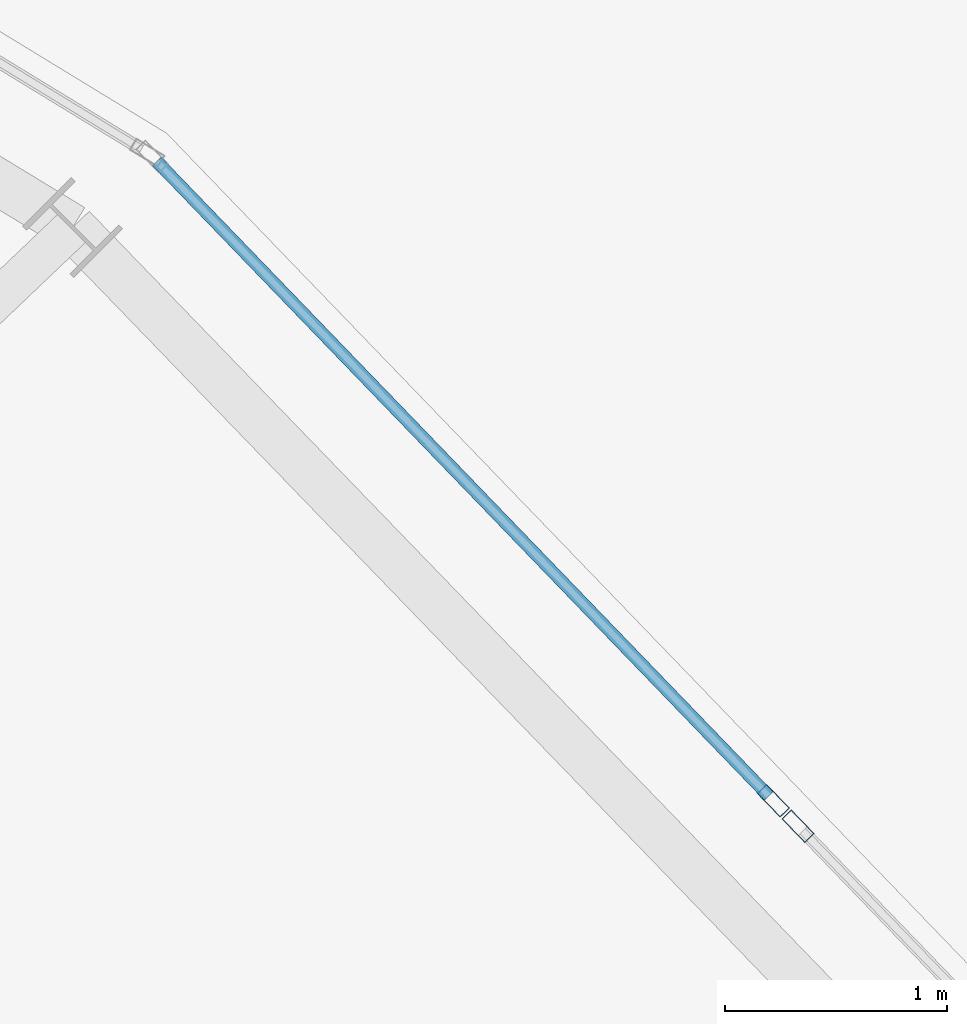
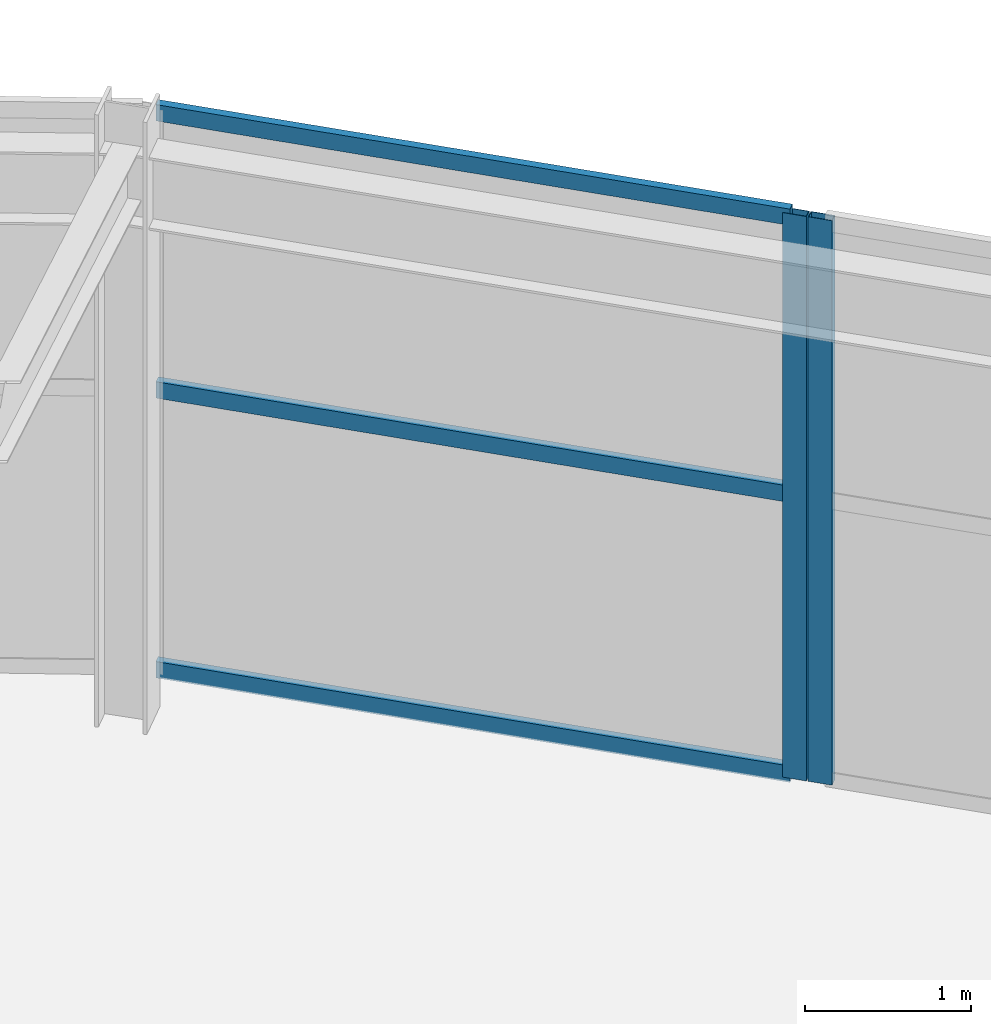
# One storey, part 92 of 126: 5 members, 2 elements without a shape of their own.
"""IFC4 building model written with IfcOpenShell, lengths in metres."""

from ifc_helpers import new_model, si_unit, direction, frame, origin, origin_2d, place, context, subcontext, project, spatial, hollow_rectangle, extrude, material, layer, layer_set, material_profile, profile_set, type_object, element, aggregate, save


model = new_model("IFC4")

# Units and contexts
model_context = context("Model", 3, precision=1e-05, world=origin(), true_north=direction((0.0, 1.0)))
body_context = subcontext(model_context, "Body", "Model", "MODEL_VIEW")
ifc_project = project(units=[si_unit("LENGTHUNIT", "METRE"), si_unit("AREAUNIT", "SQUARE_METRE"), si_unit("VOLUMEUNIT", "CUBIC_METRE"), si_unit("PLANEANGLEUNIT", "RADIAN"), si_unit("MASSUNIT", "GRAM", prefix="KILO")], contexts=[model_context])

# Site, building, storey
site_placement = place(None, origin())
site = spatial("IfcSite", under=ifc_project, at=site_placement, CompositionType="ELEMENT")
building_placement = place(site_placement, origin())
building = spatial("IfcBuilding", under=site, at=building_placement, Name="Kalgoora Escarpment Arena", CompositionType="ELEMENT")
storey_placement = place(building_placement, frame((0.0, 0.0, 18.89990234375)))
storey = spatial("IfcBuildingStorey", under=building, at=storey_placement, Name="L04", CompositionType="ELEMENT", Elevation=18.89990234375)

# Curtain wall, member
ifc_material_1 = material(Name=" Champagne anodised aluminium & double-glazed low-E", Category="aluminium")
ifc_layer_1 = layer(ifc_material_1, 0.14990234375)
ifc_layer_set_1 = layer_set([ifc_layer_1], Name="CW-UNIT-15")
curtain_wall_type_1 = type_object("IfcCurtainWallType", Name="CW-UNIT-15", PredefinedType="NOTDEFINED", material=ifc_layer_set_1)
curtain_wall_1_placement = place(storey_placement, origin())
curtain_wall_1 = element("IfcCurtainWall", 1, at=curtain_wall_1_placement, inside=storey, type_object=curtain_wall_type_1, Name="L04 unitised facade curtain wall 174", PredefinedType="NOTDEFINED")
ifc_material_2 = material(Name="Anodised aluminium 6063-T6", Category="aluminium")
ifc_material_profile_1 = material_profile(ifc_material_2, hollow_rectangle(XDim=0.06005859375, YDim=0.14990234375, WallThickness=0.00341796875, at=origin_2d()))
ifc_profile_set_1 = profile_set([ifc_material_profile_1], Name="Anodised aluminium 6063-T6")
member_type_1 = type_object("IfcMemberType", Name="MEM-CW-MULL-150", PredefinedType="MULLION", material=ifc_profile_set_1)
member_1_placement = place(storey_placement, frame((146.328857421875, 101.72119140625, 0.02001953125), z_axis=(0.0, 0.0, 1.0), x_axis=(0.719779772297, 0.69420247723, 0.0)))
member_1 = element("IfcMember", 2, at=member_1_placement, type_object=member_type_1, Name="CW-15 mullion 2", PredefinedType="MULLION", context=body_context, shape_type="SweptSolid", body=[
    extrude(hollow_rectangle(XDim=0.06005859375, YDim=0.14990234375, WallThickness=0.00341796875, at=origin_2d()), origin(), (0.0, 0.0, 1.0), 4.150146484375),
])

ifc_material_3 = material(Name=" Champagne anodised aluminium & double-glazed low-E", Category="aluminium")
ifc_layer_2 = layer(ifc_material_3, 0.154052734375)
ifc_layer_set_2 = layer_set([ifc_layer_2], Name="CW-UNIT-16")
curtain_wall_type_2 = type_object("IfcCurtainWallType", Name="CW-UNIT-16", PredefinedType="NOTDEFINED", material=ifc_layer_set_2)
curtain_wall_2_placement = place(storey_placement, origin())
curtain_wall_2 = element("IfcCurtainWall", 3, at=curtain_wall_2_placement, inside=storey, type_object=curtain_wall_type_2, Name="L04 unitised facade curtain wall 175", PredefinedType="NOTDEFINED")
member_2_placement = place(storey_placement, frame((146.440185546875, 101.606201171875, 0.02001953125), z_axis=(0.0, 0.0, 1.0), x_axis=(0.719777208849, 0.694205135116, 0.0)))
member_2 = element("IfcMember", 4, at=member_2_placement, type_object=member_type_1, Name="CW-16 mullion 1", PredefinedType="MULLION", context=body_context, shape_type="SweptSolid", body=[
    extrude(hollow_rectangle(XDim=0.06005859375, YDim=0.14990234375, WallThickness=0.00341796875, at=origin_2d()), origin(), (0.0, 0.0, 1.0), 4.150146484375),
])
aggregate(curtain_wall_2, [member_2])

# Member
ifc_material_4 = material(Name="Anodised aluminium 6063-T6", Category="aluminium")
ifc_material_profile_2 = material_profile(ifc_material_4, hollow_rectangle(XDim=0.054931640625, YDim=0.1201171875, WallThickness=0.003173828125, at=origin_2d()))
ifc_profile_set_2 = profile_set([ifc_material_profile_2], Name="Anodised aluminium 6063-T6")
member_type_2 = type_object("IfcMemberType", Name="MEM-CW-TRAN-120", PredefinedType="USERDEFINED", material=ifc_profile_set_2)
member_3_placement = place(storey_placement, frame((143.5498046875, 104.60302734375, 0.047607421875), z_axis=(0.69417991524, -0.719801531867, 0.0), x_axis=(0.719801531867, 0.69417991524, 0.0)))
member_3 = element("IfcMember", 5, at=member_3_placement, type_object=member_type_2, Name="CW-15 transom 1.1", ObjectType="TRANSOM", PredefinedType="USERDEFINED", context=body_context, shape_type="SweptSolid", body=[
    extrude(hollow_rectangle(XDim=0.054931640625, YDim=0.1201171875, WallThickness=0.003173828125, at=origin_2d()), origin(), (0.0, 0.0, 1.0), 3.973388671875),
])

member_4_placement = place(storey_placement, frame((143.5498046875, 104.60302734375, 2.10498046875), z_axis=(0.69417991524, -0.719801531867, 0.0), x_axis=(0.719801531867, 0.69417991524, 0.0)))
member_4 = element("IfcMember", 6, at=member_4_placement, type_object=member_type_2, Name="CW-15 transom 1.2", ObjectType="TRANSOM", PredefinedType="USERDEFINED", context=body_context, shape_type="SweptSolid", body=[
    extrude(hollow_rectangle(XDim=0.054931640625, YDim=0.1201171875, WallThickness=0.003173828125, at=origin_2d()), origin(), (0.0, 0.0, 1.0), 3.973388671875),
])

member_5_placement = place(storey_placement, frame((143.5498046875, 104.60302734375, 4.142578125), z_axis=(0.69417991524, -0.719801531867, 0.0), x_axis=(0.719801531867, 0.69417991524, 0.0)))
member_5 = element("IfcMember", 7, at=member_5_placement, type_object=member_type_2, Name="CW-15 transom 1.3", ObjectType="TRANSOM", PredefinedType="USERDEFINED", context=body_context, shape_type="SweptSolid", body=[
    extrude(hollow_rectangle(XDim=0.054931640625, YDim=0.1201171875, WallThickness=0.003173828125, at=origin_2d()), origin(), (0.0, 0.0, 1.0), 3.973388671875),
])

aggregate(curtain_wall_1, [member_1, member_3, member_4, member_5])

save(model, "model.ifc")
